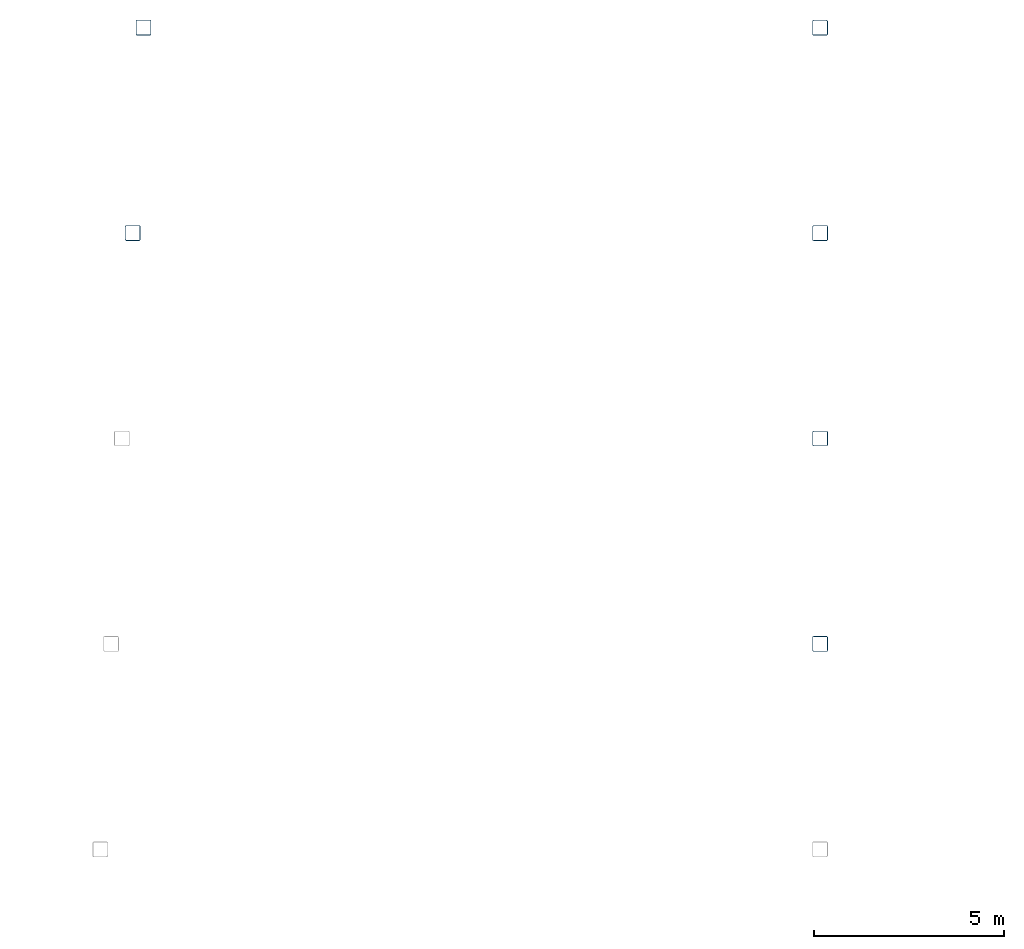
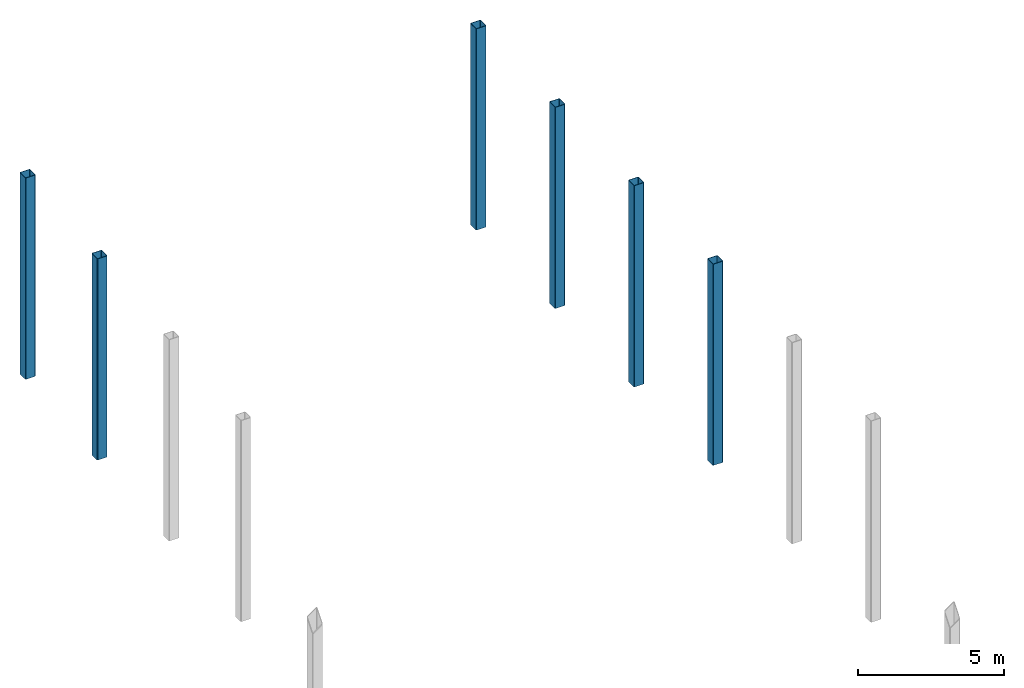
# One storey, part 2 of 3: 6 columns.
"""IFC4 building model written with IfcOpenShell, lengths in metres."""

from ifc_helpers import new_model, si_unit, direction, frame, origin, origin_2d, place, context, subcontext, project, spatial, hollow_rectangle, extrude, material, material_profile, profile_set, type_object, element, save


model = new_model("IFC4")

# Units and contexts
model_context = context("Model", 3, precision=1e-05, world=origin(), true_north=direction((0.0, 1.0)))
body_context = subcontext(model_context, "Body", "Model", "MODEL_VIEW")
ifc_project = project(units=[si_unit("LENGTHUNIT", "METRE"), si_unit("AREAUNIT", "SQUARE_METRE"), si_unit("VOLUMEUNIT", "CUBIC_METRE"), si_unit("PLANEANGLEUNIT", "RADIAN"), si_unit("MASSUNIT", "GRAM", prefix="KILO")], contexts=[model_context])

# Site, building, storey
site_placement = place(None, origin())
site = spatial("IfcSite", under=ifc_project, at=site_placement, CompositionType="ELEMENT")
building_placement = place(site_placement, origin())
building = spatial("IfcBuilding", under=site, at=building_placement, Name="Kheshtan School and Residences Tower", CompositionType="ELEMENT")
storey_placement = place(building_placement, frame((0.0, 0.0, 416.39990234375)))
storey = spatial("IfcBuildingStorey", under=building, at=storey_placement, Name="Upper roof", CompositionType="ELEMENT", Elevation=416.39990234375)

# Columns
ifc_material = material(Name="Steel ASTM A500 Grade C", Category="steel")
ifc_material_profile = material_profile(ifc_material, hollow_rectangle(XDim=0.406005859375, YDim=0.406005859375, WallThickness=0.01904296875, InnerFilletRadius=0.01904296875, OuterFilletRadius=0.0380859375, at=origin_2d()), Name="HSS 406x406x19")
ifc_profile_set = profile_set([ifc_material_profile], Name="Steel ASTM A500 Grade C")
column_type = type_object("IfcColumnType", Name="Column CF1 HSS 406x406x19 ASTM A500 Grade C", PredefinedType="COLUMN", material=ifc_profile_set)
for number, where, z_axis, x_axis, name in (
    (1, (47.60009765625, 72.60009765625, 0.0), (0.0, 0.0, 1.0), (1.0, 0.0, 0.0), "Crown frame post C087"),
    (2, (47.60009765625, 78.0, 0.0), (0.0, 0.0, 1.0), (1.0, 0.0, 0.0), "Crown frame post C089"),
    (3, (29.527099609375, 83.39990234375, 0.0), (0.0, 0.0, 1.0), (1.0, 0.0, 0.0), "Crown frame post C090"),
    (4, (47.60009765625, 83.39990234375, 0.0), (0.0, 0.0, 1.0), (1.0, 0.0, 0.0), "Crown frame post C091"),
    (5, (29.81103515625, 88.800048828125, 0.0), (0.0, 0.0, 1.0), (1.0, 0.0, 0.0), "Crown frame post C098"),
    (6, (47.60009765625, 88.800048828125, 0.0), (0.0, 0.0, 1.0), (1.0, 0.0, 0.0), "Crown frame post C099"),
):
    element("IfcColumn", number, at=place(storey_placement, frame(where, z_axis=z_axis, x_axis=x_axis)), inside=storey, type_object=column_type, Name=name, PredefinedType="COLUMN", context=body_context, shape_type="SweptSolid", body=[
        extrude(hollow_rectangle(XDim=0.406005859375, YDim=0.406005859375, WallThickness=0.01904296875, InnerFilletRadius=0.01904296875, OuterFilletRadius=0.0380859375, at=origin_2d()), origin(), (0.0, 0.0, 1.0), 8.400146484375),
    ])

save(model, "model.ifc")
